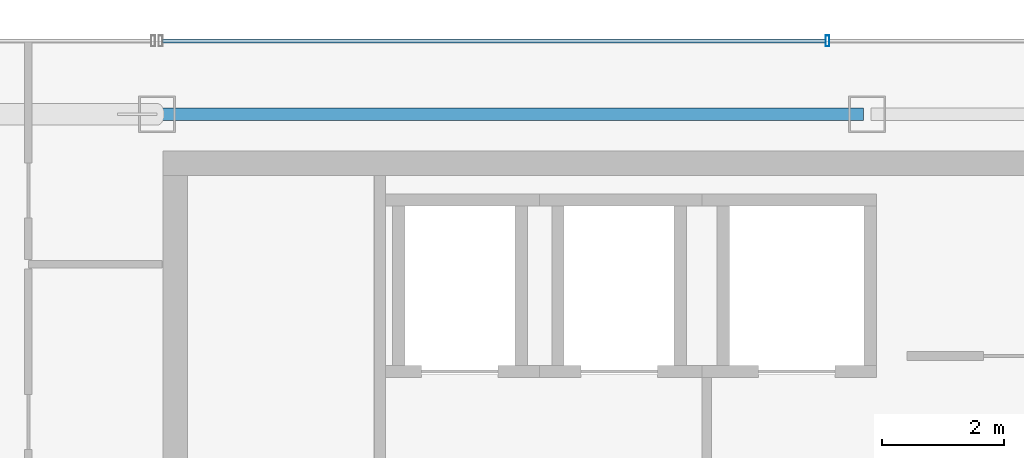
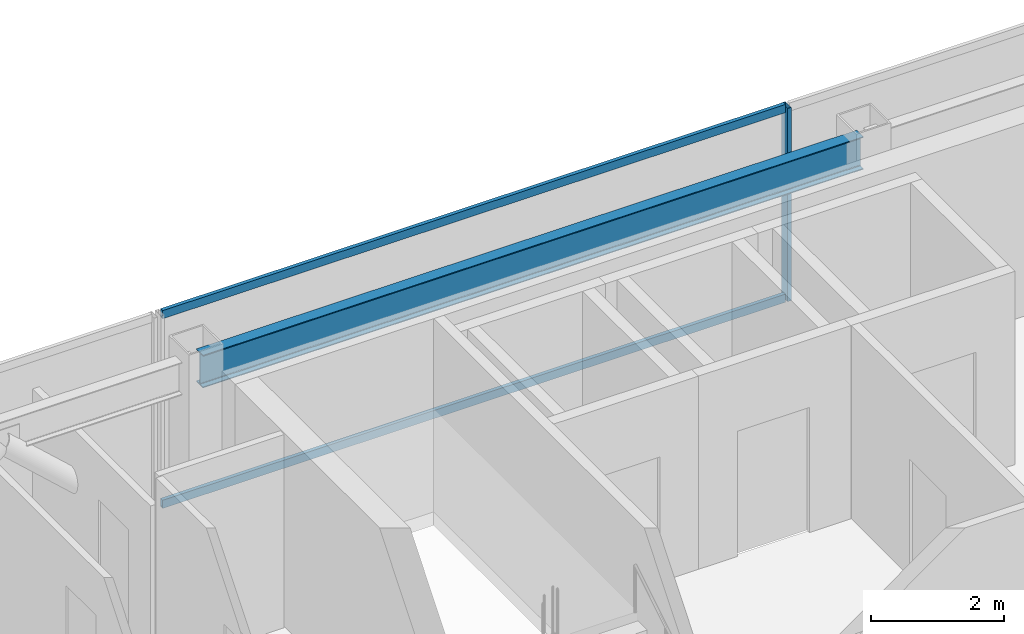
# One storey, part 10 of 23: 3 members, 1 beam, 1 element without a shape of its own.
"""IFC4 building model written with IfcOpenShell, lengths in metres."""

from ifc_helpers import new_model, si_unit, direction, frame, origin, origin_2d, place, context, subcontext, project, spatial, hollow_rectangle, i_section, extrude, material, material_profile, profile_set, type_object, element, aggregate, save


model = new_model("IFC4")

# Units and contexts
model_context = context("Model", 3, precision=1e-05, world=origin(), true_north=direction((0.0, 1.0)))
body_context = subcontext(model_context, "Body", "Model", "MODEL_VIEW")
ifc_project = project(units=[si_unit("LENGTHUNIT", "METRE"), si_unit("AREAUNIT", "SQUARE_METRE"), si_unit("VOLUMEUNIT", "CUBIC_METRE"), si_unit("PLANEANGLEUNIT", "RADIAN"), si_unit("MASSUNIT", "GRAM", prefix="KILO")], contexts=[model_context])

# Site, building, storey
site_placement = place(None, origin())
site = spatial("IfcSite", under=ifc_project, at=site_placement, CompositionType="ELEMENT")
building_placement = place(site_placement, origin())
building = spatial("IfcBuilding", under=site, at=building_placement, Name="Saevonmaru Cultural Tower", CompositionType="ELEMENT")
storey_placement = place(building_placement, frame((0.0, 0.0, 302.800048828125)))
storey = spatial("IfcBuildingStorey", under=building, at=storey_placement, Name="L72", CompositionType="ELEMENT", Elevation=302.800048828125)

# Beam
ifc_material_1 = material(Name="Steel SM355", Category="steel")
ifc_material_profile_1 = material_profile(ifc_material_1, i_section(OverallWidth=0.199951171875, OverallDepth=0.60009765625, WebThickness=0.010986328125, FlangeThickness=0.01708984375, FilletRadius=0.02197265625, at=origin_2d()), Name="H-600x200x11x17")
ifc_profile_set_1 = profile_set([ifc_material_profile_1], Name="Steel SM355")
beam_type = type_object("IfcBeamType", Name="BM-SP-H600", PredefinedType="SPANDREL", material=ifc_profile_set_1)
beam_placement = place(storey_placement, frame((13.659912109375, 54.800048828125, 3.25), z_axis=(1.0, 0.0, 0.0), x_axis=(0.0, 1.0, 0.0)))
element("IfcBeam", 1, at=beam_placement, inside=storey, type_object=beam_type, Name="L72 North Spine Girder 2", PredefinedType="SPANDREL", context=body_context, shape_type="SweptSolid", body=[
    extrude(i_section(OverallWidth=0.199951171875, OverallDepth=0.60009765625, WebThickness=0.010986328125, FlangeThickness=0.01708984375, FilletRadius=0.02197265625, at=origin_2d()), origin(), (0.0, 0.0, 1.0), 11.47998046875),
])

# Curtain wall, members
ifc_material_2 = material(Name="Satin Bronze Anodised Aluminium", Category="aluminium")
curtain_wall_type = type_object("IfcCurtainWallType", Name="CW-TYP-B", PredefinedType="NOTDEFINED", material=ifc_material_2)
curtain_wall_placement = place(storey_placement, origin())
curtain_wall = element("IfcCurtainWall", 2, at=curtain_wall_placement, inside=storey, type_object=curtain_wall_type, Name="L72 North Spine Unitised Curtain Wall E10B", PredefinedType="NOTDEFINED")
ifc_material_profile_2 = material_profile(ifc_material_2, hollow_rectangle(XDim=0.06494140625, YDim=0.179931640625, WallThickness=0.00390625, at=origin_2d()), Name="ALU-MULL-180x65x4")
ifc_profile_set_2 = profile_set([ifc_material_profile_2], Name="Satin Bronze Anodised Aluminium")
member_type_1 = type_object("IfcMemberType", Name="ML-CW-180x65", PredefinedType="MULLION", material=ifc_profile_set_2)
member_1_placement = place(storey_placement, frame((24.55322265625, 56.0, 0.0), z_axis=(0.0, 0.0, 1.0), x_axis=(-1.0, 0.0, 0.0)))
member_1 = element("IfcMember", 3, at=member_1_placement, type_object=member_type_1, Name="CW-TW-L72-E10B mullion 3", PredefinedType="MULLION", context=body_context, shape_type="SweptSolid", body=[
    extrude(hollow_rectangle(XDim=0.06494140625, YDim=0.179931640625, WallThickness=0.00390625, at=origin_2d()), origin(), (0.0, 0.0, 1.0), 3.550048828125),
])
ifc_material_profile_3 = material_profile(ifc_material_2, hollow_rectangle(XDim=0.06494140625, YDim=0.14990234375, WallThickness=0.00390625, at=origin_2d()), Name="ALU-TRAN-150x65x4")
ifc_profile_set_3 = profile_set([ifc_material_profile_3], Name="Satin Bronze Anodised Aluminium")
member_type_2 = type_object("IfcMemberType", Name="TR-CW-150x65", PredefinedType="USERDEFINED", material=ifc_profile_set_3)
member_2_placement = place(storey_placement, frame((24.520751953125, 56.0, 0.032470703125), z_axis=(-1.0, 0.0, 0.0), x_axis=(0.0, -1.0, 0.0)))
member_2 = element("IfcMember", 4, at=member_2_placement, type_object=member_type_2, Name="CW-TW-L72-E10B transom 3.1", ObjectType="TRANSOM", PredefinedType="USERDEFINED", context=body_context, shape_type="SweptSolid", body=[
    extrude(hollow_rectangle(XDim=0.06494140625, YDim=0.14990234375, WallThickness=0.00390625, at=origin_2d()), origin(), (0.0, 0.0, 1.0), 10.828369140625),
])
member_3_placement = place(storey_placement, frame((24.520751953125, 56.0, 3.517333984375), z_axis=(-1.0, 0.0, 0.0), x_axis=(0.0, -1.0, 0.0)))
member_3 = element("IfcMember", 5, at=member_3_placement, type_object=member_type_2, Name="CW-TW-L72-E10B transom 3.2", ObjectType="TRANSOM", PredefinedType="USERDEFINED", context=body_context, shape_type="SweptSolid", body=[
    extrude(hollow_rectangle(XDim=0.06494140625, YDim=0.14990234375, WallThickness=0.00390625, at=origin_2d()), origin(), (0.0, 0.0, 1.0), 10.828369140625),
])
aggregate(curtain_wall, [member_1, member_2, member_3])

save(model, "model.ifc")
